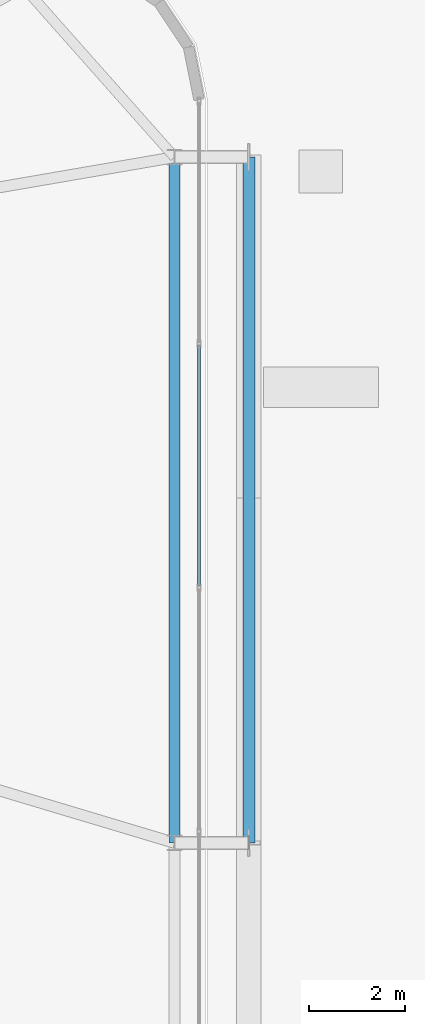
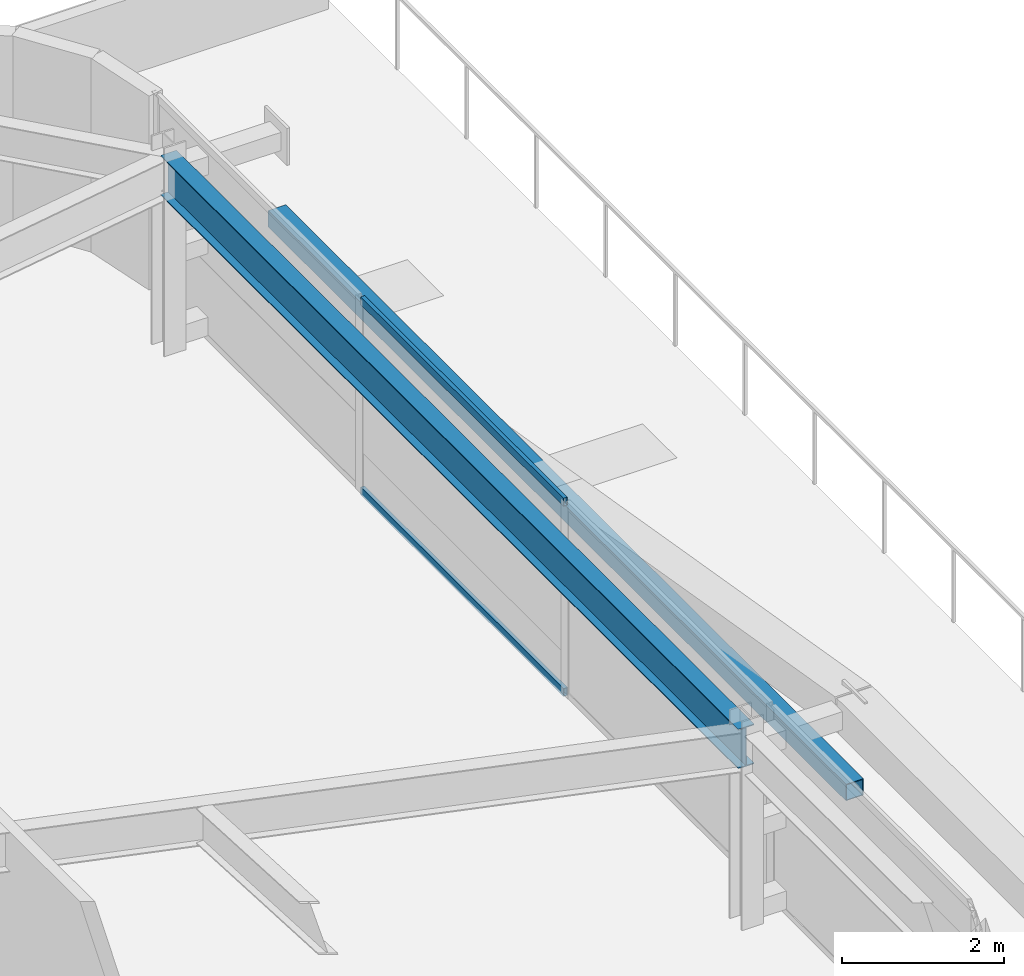
# One storey, part 37 of 56: 3 members, 1 beam, 1 element without a shape of its own.
"""IFC4 building model written with IfcOpenShell, lengths in metres."""

from ifc_helpers import new_model, si_unit, direction, frame, origin, origin_2d, place, context, subcontext, project, spatial, hollow_rectangle, i_section, extrude, source, transform, mapped, material, layer, layer_set, material_profile, profile_set, type_object, element, aggregate, save


model = new_model("IFC4")

# Units and contexts
model_context = context("Model", 3, precision=1e-05, world=origin(), true_north=direction((0.0, 1.0)))
body_context = subcontext(model_context, "Body", "Model", "MODEL_VIEW")
ifc_project = project(units=[si_unit("LENGTHUNIT", "METRE"), si_unit("AREAUNIT", "SQUARE_METRE"), si_unit("VOLUMEUNIT", "CUBIC_METRE"), si_unit("PLANEANGLEUNIT", "RADIAN"), si_unit("MASSUNIT", "GRAM", prefix="KILO")], contexts=[model_context])

# Site, building, storey
site_placement = place(None, origin())
site = spatial("IfcSite", under=ifc_project, at=site_placement, CompositionType="ELEMENT")
building_placement = place(site_placement, origin())
building = spatial("IfcBuilding", under=site, at=building_placement, Name="Taldren Reach Tower", CompositionType="ELEMENT")
storey_placement = place(building_placement, frame((0.0, 0.0, 16.800048828125)))
storey = spatial("IfcBuildingStorey", under=building, at=storey_placement, Name="L04", CompositionType="ELEMENT", Elevation=16.800048828125)

# Beam
ifc_material_1 = material(Name="Steel Gr 350 (350PLUS)", Category="steel")
ifc_material_profile_1 = material_profile(ifc_material_1, i_section(OverallWidth=0.22802734375, OverallDepth=0.60205078125, WebThickness=0.010498046875, FlangeThickness=0.014892578125, at=origin_2d()), Name="610UB101")
ifc_profile_set_1 = profile_set([ifc_material_profile_1], Name="Steel Gr 350 (350PLUS)")
beam_type = type_object("IfcBeamType", Name="BM-UB610B", PredefinedType="BEAM", material=ifc_profile_set_1)
shared_shape_1 = source(origin(), body_context, "Body", "SweptSolid", [
    extrude(i_section(OverallWidth=0.22802734375, OverallDepth=0.60205078125, WebThickness=0.010498046875, FlangeThickness=0.014892578125, at=origin_2d()), origin(), (0.0, 0.0, 1.0), 14.300048828125),
])
beam_placement = place(storey_placement, frame((64.35009765625, 20.0, 2.62890625), z_axis=(0.0, 1.0, 0.0), x_axis=(-1.0, 0.0, 0.0)))
element("IfcBeam", 1, at=beam_placement, inside=storey, type_object=beam_type, Name="Perimeter gable girder B1 E2-E3 L04", PredefinedType="BEAM", context=body_context, shape_type="MappedRepresentation", body=[
    mapped(shared_shape_1, transform((0.0, 0.0, 0.0), scale=1.0)),
])

# Member
ifc_material_2 = material(Name="Steel Gr 350 (C350L0)", Category="steel")
ifc_material_profile_2 = material_profile(ifc_material_2, hollow_rectangle(XDim=0.25, YDim=0.25, WallThickness=0.010009765625, at=origin_2d()), Name="250x250x10.0SHS")
ifc_profile_set_2 = profile_set([ifc_material_profile_2], Name="Steel Gr 350 (C350L0)")
member_type_1 = type_object("IfcMemberType", Name="MB-POST250", PredefinedType="POST", material=ifc_profile_set_2)
shared_shape_2 = source(origin(), body_context, "Body", "SweptSolid", [
    extrude(hollow_rectangle(XDim=0.25, YDim=0.25, WallThickness=0.010009765625, at=origin_2d()), origin(), (0.0, 0.0, 1.0), 14.300048828125),
])
member_1_placement = place(storey_placement, frame((65.89990234375, 20.0, 1.43505859375), z_axis=(0.0, 1.0, 0.0), x_axis=(-1.0, 0.0, 0.0)))
element("IfcMember", 2, at=member_1_placement, inside=storey, type_object=member_type_1, Name="Exoskeleton mid-height ring chord B1-E2 L04", PredefinedType="POST", context=body_context, shape_type="MappedRepresentation", body=[
    mapped(shared_shape_2, transform((0.0, 0.0, 0.0), scale=1.0)),
])

# Curtain wall, members
ifc_material_3 = material(Name="Aluminium and Low-E Glass Unitised System", Category="aluminium")
ifc_layer = layer(ifc_material_3, 0.159912109375)
ifc_layer_set = layer_set([ifc_layer], Name="Aluminium and Low-E Glass Unitised System")
curtain_wall_type = type_object("IfcCurtainWallType", Name="CW-SYS-2", PredefinedType="NOTDEFINED", material=ifc_layer_set)
curtain_wall_placement = place(storey_placement, origin())
curtain_wall = element("IfcCurtainWall", 3, at=curtain_wall_placement, inside=storey, type_object=curtain_wall_type, Name="Unitised curtain wall CW-L04-E2", PredefinedType="NOTDEFINED")
ifc_material_4 = material(Name="Anodised Aluminium 6063-T6", Category="aluminium")
ifc_material_profile_3 = material_profile(ifc_material_4, hollow_rectangle(XDim=0.054931640625, YDim=0.1201171875, WallThickness=0.0029296875, at=origin_2d()), Name="ALU-120x55x3RHS")
ifc_profile_set_3 = profile_set([ifc_material_profile_3], Name="Anodised Aluminium 6063-T6")
member_type_2 = type_object("IfcMemberType", Name="CW-TRN-135", PredefinedType="USERDEFINED", material=ifc_profile_set_3)
shared_shape_3 = source(origin(), body_context, "Body", "SweptSolid", [
    extrude(hollow_rectangle(XDim=0.054931640625, YDim=0.1201171875, WallThickness=0.0029296875, at=origin_2d()), origin(), (0.0, 0.0, 1.0), 5.0224609375),
])
member_2_placement = place(storey_placement, frame((64.860107421875, 25.357421875, 0.02734375), z_axis=(0.0, 1.0, 0.0), x_axis=(-1.0, 0.0, 0.0)))
member_2 = element("IfcMember", 4, at=member_2_placement, type_object=member_type_2, Name="CW-2 transom 3.1", ObjectType="TRANSOM", PredefinedType="USERDEFINED", context=body_context, shape_type="MappedRepresentation", body=[
    mapped(shared_shape_3, transform((0.0, 0.0, 0.0), scale=1.0)),
])
member_3_placement = place(storey_placement, frame((64.860107421875, 25.357421875, 2.90234375), z_axis=(0.0, 1.0, 0.0), x_axis=(-1.0, 0.0, 0.0)))
member_3 = element("IfcMember", 5, at=member_3_placement, type_object=member_type_2, Name="CW-2 transom 3.2", ObjectType="TRANSOM", PredefinedType="USERDEFINED", context=body_context, shape_type="MappedRepresentation", body=[
    mapped(shared_shape_3, transform((0.0, 0.0, 0.0), scale=1.0)),
])
aggregate(curtain_wall, [member_2, member_3])

save(model, "model.ifc")
